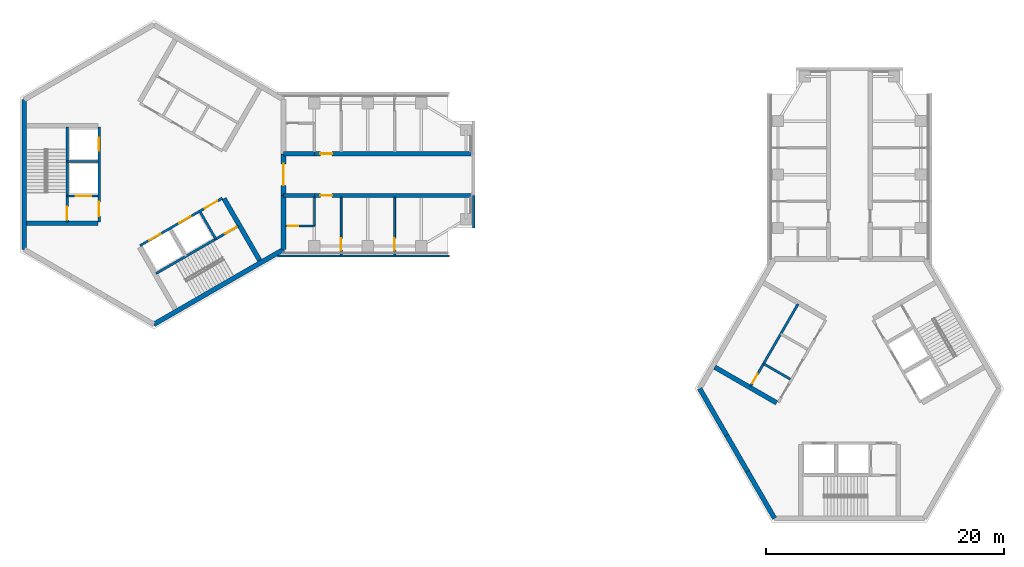
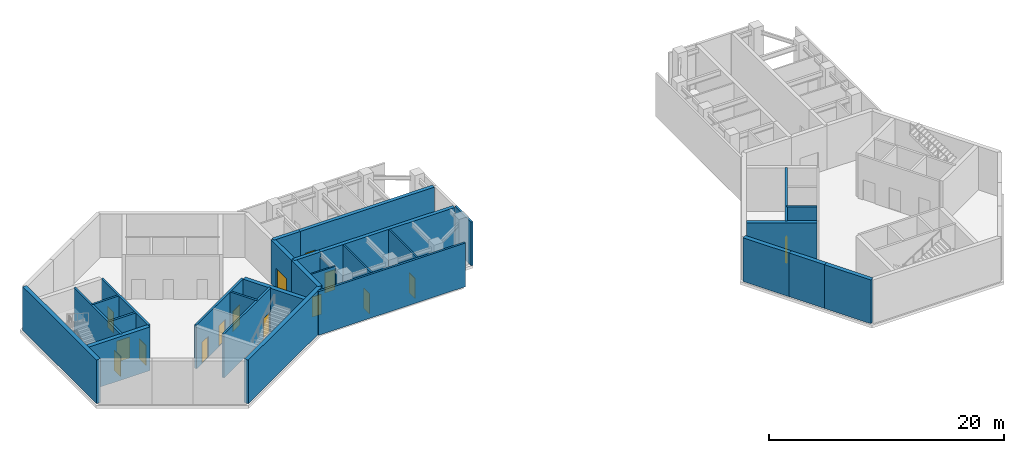
# One storey, part 2 of 8: 29 walls, 15 doors, 15 openings.
"""IFC4 building model written with IfcOpenShell, lengths in metres."""

from ifc_helpers import new_model, si_unit, direction, frame, frame_2d, origin, place, context, subcontext, project, spatial, rectangle, extrude, material, layer, layer_set, type_object, element, fill, save


model = new_model("IFC4")

# Units and contexts
model_context = context("Model", 3, precision=1e-05, world=origin(), true_north=direction((0.0, 1.0)))
body_context = subcontext(model_context, "Body", "Model", "MODEL_VIEW")
ifc_project = project(units=[si_unit("LENGTHUNIT", "METRE"), si_unit("AREAUNIT", "SQUARE_METRE"), si_unit("VOLUMEUNIT", "CUBIC_METRE"), si_unit("PLANEANGLEUNIT", "RADIAN"), si_unit("MASSUNIT", "GRAM", prefix="KILO")], contexts=[model_context])

# Site, building, storey
site_placement = place(None, origin())
site = spatial("IfcSite", under=ifc_project, at=site_placement, CompositionType="ELEMENT")
building_placement = place(site_placement, origin())
building = spatial("IfcBuilding", under=site, at=building_placement, Name="Upepo Twin Towers", CompositionType="ELEMENT")
storey_placement = place(building_placement, frame((0.0, 0.0, 291.5)))
storey = spatial("IfcBuildingStorey", under=building, at=storey_placement, Name="L71", CompositionType="ELEMENT", Elevation=291.5)

# Walls
ifc_material_1 = material(Name="Precast concrete breeze blocks", Category="concrete")
ifc_layer_1 = layer(ifc_material_1, 0.199951171875)
ifc_layer_set_1 = layer_set([ifc_layer_1], Name="Breeze-block screen wall 200")
wall_type_1 = type_object("IfcWallType", Name="Breeze-block screen wall 200", PredefinedType="USERDEFINED", material=ifc_layer_set_1)
wall_1_placement = place(storey_placement, frame((24.85009765625, -6.85009765625, 0.0), z_axis=(0.0, 0.0, 1.0), x_axis=(-1.0, 0.0, 0.0)))
element("IfcWall", 1, at=wall_1_placement, inside=storey, type_object=wall_type_1, Name="T1 L71 wing A screen R", ObjectType="SCREEN", PredefinedType="USERDEFINED", context=body_context, shape_type="SweptSolid", body=[
    extrude(rectangle(XDim=14.462890625, YDim=0.199951171875, at=frame_2d((7.2314453125, 0.0))), origin(), (0.0, 0.0, 1.0), 4.550048828125),
])
wall_2_placement = place(storey_placement, frame((26.89990234375, -4.5, 0.0), z_axis=(0.0, 0.0, 1.0), x_axis=(0.0, 1.0, 0.0)))
element("IfcWall", 2, at=wall_2_placement, inside=storey, type_object=wall_type_1, Name="T1 L71 wing A nose screen 0", ObjectType="SCREEN", PredefinedType="USERDEFINED", context=body_context, shape_type="SweptSolid", body=[
    extrude(rectangle(XDim=2.75, YDim=0.199951171875, at=frame_2d((1.375, 0.0))), origin(), (0.0, 0.0, 1.0), 4.550048828125),
])
ifc_material_2 = material(Name="Concrete C60/75", Category="concrete")
ifc_layer_2 = layer(ifc_material_2, 0.35009765625)
ifc_layer_set_2 = layer_set([ifc_layer_2], Name="Concrete C60/75")
wall_type_2 = type_object("IfcWallType", Name="Buttress wall 350 RC", PredefinedType="SHEAR", material=ifc_layer_set_2)
wall_3_placement = place(storey_placement, frame((10.908447265625, 1.75, 0.0), z_axis=(0.0, 0.0, 1.0), x_axis=(1.0, 0.0, 0.0)))
element("IfcWall", 3, at=wall_3_placement, inside=storey, type_object=wall_type_2, Name="T1 wing A buttress wall L", PredefinedType="SHEAR", context=body_context, shape_type="SweptSolid", body=[
    extrude(rectangle(XDim=2.591552734375, YDim=0.35009765625, at=frame_2d((1.2958984375, 0.0))), origin(), (0.0, 0.0, 1.0), 4.550048828125),
])

# Wall, opening, door
wall_4_placement = place(storey_placement, frame((13.5, 1.75, 0.0), z_axis=(0.0, 0.0, 1.0), x_axis=(1.0, 0.0, 0.0)))
wall_4 = element("IfcWall", 4, at=wall_4_placement, inside=storey, type_object=wall_type_2, Name="T1 wing A buttress wall L part 2", PredefinedType="SHEAR", context=body_context, shape_type="SweptSolid", body=[
    extrude(rectangle(XDim=13.199951171875, YDim=0.35009765625, at=frame_2d((6.60009765625, 0.0))), origin(), (0.0, 0.0, 1.0), 4.550048828125),
])
opening_1_placement = place(wall_4_placement, frame((0.5, 0.0, 0.0)))
opening_1 = element("IfcOpeningElement", 5, at=opening_1_placement, cuts=wall_4, Name="Opening D1", PredefinedType="OPENING", context=body_context, shape_type="SweptSolid", body=[
    extrude(rectangle(XDim=1.0, YDim=2.10009765625, at=frame_2d((0.5, 1.050048828125))), frame((0.0, 0.18505859375, 0.0), z_axis=(0.0, -1.0, 0.0), x_axis=(1.0, 0.0, 0.0)), (0.0, 0.0, 1.0), 0.3701171875),
])
ifc_material_3 = material(Name="Timber doorset", Category="wood")
door_type_1 = type_object("IfcDoorType", Name="Room door 1000 FD30", OperationType="SINGLE_SWING_LEFT", PredefinedType="DOOR", material=ifc_material_3)
door_1_placement = place(opening_1_placement, origin())
door_1 = element("IfcDoor", 6, at=door_1_placement, inside=storey, type_object=door_type_1, Name="T1 L71 chiller plant room door", OperationType="SINGLE_SWING_LEFT", OverallHeight=2.10009765625, OverallWidth=1.0, PredefinedType="DOOR", context=body_context, shape_type="SweptSolid", body=[
    extrude(rectangle(XDim=1.0, YDim=2.10009765625, at=frame_2d((0.5, 1.050048828125))), frame((0.0, 0.02490234375, 0.0), z_axis=(0.0, -1.0, 0.0), x_axis=(1.0, 0.0, 0.0)), (0.0, 0.0, 1.0), 0.050048828125),
])
fill(opening_1, door_1)

# Wall
wall_5_placement = place(storey_placement, frame((10.908447265625, -1.75, 0.0), z_axis=(0.0, 0.0, 1.0), x_axis=(1.0, 0.0, 0.0)))
element("IfcWall", 7, at=wall_5_placement, inside=storey, type_object=wall_type_2, Name="T1 wing A buttress wall R", PredefinedType="SHEAR", context=body_context, shape_type="SweptSolid", body=[
    extrude(rectangle(XDim=2.591552734375, YDim=0.35009765625, at=frame_2d((1.2958984375, 0.0))), origin(), (0.0, 0.0, 1.0), 4.550048828125),
])

# Wall, opening, door
wall_6_placement = place(storey_placement, frame((13.5, -1.75, 0.0), z_axis=(0.0, 0.0, 1.0), x_axis=(1.0, 0.0, 0.0)))
wall_6 = element("IfcWall", 8, at=wall_6_placement, inside=storey, type_object=wall_type_2, Name="T1 wing A buttress wall R part 2", PredefinedType="SHEAR", context=body_context, shape_type="SweptSolid", body=[
    extrude(rectangle(XDim=13.199951171875, YDim=0.35009765625, at=frame_2d((6.60009765625, 0.0))), origin(), (0.0, 0.0, 1.0), 4.550048828125),
])
opening_2_placement = place(wall_6_placement, frame((0.5, 0.0, 0.0)))
opening_2 = element("IfcOpeningElement", 9, at=opening_2_placement, cuts=wall_6, Name="Opening D1", PredefinedType="OPENING", context=body_context, shape_type="SweptSolid", body=[
    extrude(rectangle(XDim=1.0, YDim=2.10009765625, at=frame_2d((0.5, 1.050048828125))), frame((0.0, 0.18505859375, 0.0), z_axis=(0.0, -1.0, 0.0), x_axis=(1.0, 0.0, 0.0)), (0.0, 0.0, 1.0), 0.3701171875),
])
door_2_placement = place(opening_2_placement, origin())
door_2 = element("IfcDoor", 10, at=door_2_placement, inside=storey, type_object=door_type_1, Name="T1 L71 electrical switch room door", OperationType="SINGLE_SWING_LEFT", OverallHeight=2.10009765625, OverallWidth=1.0, PredefinedType="DOOR", context=body_context, shape_type="SweptSolid", body=[
    extrude(rectangle(XDim=1.0, YDim=2.10009765625, at=frame_2d((0.5, 1.050048828125))), frame((0.0, 0.02490234375, 0.0), z_axis=(0.0, -1.0, 0.0), x_axis=(1.0, 0.0, 0.0)), (0.0, 0.0, 1.0), 0.050048828125),
])
fill(opening_2, door_2)

# Wall
ifc_material_4 = material(Name="Concrete C60/75", Category="concrete")
ifc_layer_3 = layer(ifc_material_4, 0.39990234375)
ifc_layer_set_3 = layer_set([ifc_layer_3], Name="Concrete C60/75")
wall_type_3 = type_object("IfcWallType", Name="Core wall 400 RC", PredefinedType="SHEAR", material=ifc_layer_set_3)
wall_7_placement = place(storey_placement, frame((10.908447265625, -6.2978515625, 0.0), z_axis=(0.0, 0.0, 1.0), x_axis=(0.0, 1.0, 0.0)))
element("IfcWall", 11, at=wall_7_placement, inside=storey, type_object=wall_type_3, Name="T1 core wall 000 R", PredefinedType="SHEAR", context=body_context, shape_type="SweptSolid", body=[
    extrude(rectangle(XDim=4.5478515625, YDim=0.39990234375, at=frame_2d((2.27392578125, 0.0))), origin(), (0.0, 0.0, 1.0), 4.550048828125),
])

# Wall, opening, door
wall_8_placement = place(storey_placement, frame((10.908447265625, -1.75, 0.0), z_axis=(0.0, 0.0, 1.0), x_axis=(0.0, 1.0, 0.0)))
wall_8 = element("IfcWall", 12, at=wall_8_placement, inside=storey, type_object=wall_type_3, Name="T1 core wall 000", PredefinedType="SHEAR", context=body_context, shape_type="SweptSolid", body=[
    extrude(rectangle(XDim=3.5, YDim=0.39990234375, at=frame_2d((1.75, 0.0))), origin(), (0.0, 0.0, 1.0), 4.550048828125),
])
opening_3_placement = place(wall_8_placement, frame((0.85009765625, 0.0, 0.0)))
opening_3 = element("IfcOpeningElement", 13, at=opening_3_placement, cuts=wall_8, Name="Opening D2", PredefinedType="OPENING", context=body_context, shape_type="SweptSolid", body=[
    extrude(rectangle(XDim=1.800048828125, YDim=2.10009765625, at=frame_2d((0.89990234375, 1.050048828125))), frame((0.0, 0.2099609375, 0.0), z_axis=(0.0, -1.0, 0.0), x_axis=(1.0, 0.0, 0.0)), (0.0, 0.0, 1.0), 0.419921875),
])
ifc_material_5 = material(Name="Timber doorset", Category="wood")
door_type_2 = type_object("IfcDoorType", Name="Corridor double door 1800 FD60", OperationType="DOUBLE_DOOR_DOUBLE_SWING", PredefinedType="DOOR", material=ifc_material_5)
door_3_placement = place(opening_3_placement, origin())
door_3 = element("IfcDoor", 14, at=door_3_placement, inside=storey, type_object=door_type_2, Name="T1 L71 wing A corridor door", OperationType="DOUBLE_DOOR_DOUBLE_SWING", OverallHeight=2.10009765625, OverallWidth=1.800048828125, PredefinedType="DOOR", context=body_context, shape_type="SweptSolid", body=[
    extrude(rectangle(XDim=1.800048828125, YDim=2.10009765625, at=frame_2d((0.89990234375, 1.050048828125))), frame((0.0, 0.02490234375, 0.0), z_axis=(0.0, -1.0, 0.0), x_axis=(1.0, 0.0, 0.0)), (0.0, 0.0, 1.0), 0.050048828125),
])
fill(opening_3, door_3)

# Walls
wall_9_placement = place(storey_placement, frame((-10.908447265625, 6.2978515625, 0.0), z_axis=(0.0, 0.0, 1.0), x_axis=(0.0, -1.0, 0.0)))
element("IfcWall", 15, at=wall_9_placement, inside=storey, type_object=wall_type_3, Name="T1 core wall 180", PredefinedType="SHEAR", context=body_context, shape_type="SweptSolid", body=[
    extrude(rectangle(XDim=12.595703125, YDim=0.39990234375, at=frame_2d((6.2978515625, 0.0))), origin(), (0.0, 0.0, 1.0), 4.550048828125),
])
wall_10_placement = place(storey_placement, frame((0.0, -12.595947265625, 0.0), z_axis=(0.0, 0.0, 1.0), x_axis=(0.866021940709, 0.500005998175, 0.0)))
element("IfcWall", 16, at=wall_10_placement, inside=storey, type_object=wall_type_3, Name="T1 core wall 300", PredefinedType="SHEAR", context=body_context, shape_type="SweptSolid", body=[
    extrude(rectangle(XDim=12.595947265625, YDim=0.39990234375, at=frame_2d((6.2978515625, 0.0))), origin(), (0.0, 0.0, 1.0), 4.550048828125),
])
wall_11_placement = place(storey_placement, frame((45.904052734375, -18.0, 0.0), z_axis=(0.0, 0.0, 1.0), x_axis=(0.500024481964, -0.866011268655, 0.0)))
element("IfcWall", 17, at=wall_11_placement, inside=storey, type_object=wall_type_3, Name="T2 core wall 120 R", PredefinedType="SHEAR", context=body_context, shape_type="SweptSolid", body=[
    extrude(rectangle(XDim=4.548095703125, YDim=0.39990234375, at=frame_2d((2.27392578125, 0.0))), origin(), (0.0, 0.0, 1.0), 4.550048828125),
])
wall_12_placement = place(storey_placement, frame((48.17822265625, -21.938720703125, 0.0), z_axis=(0.0, 0.0, 1.0), x_axis=(0.500010275428, -0.866019471182, 0.0)))
element("IfcWall", 18, at=wall_12_placement, inside=storey, type_object=wall_type_3, Name="T2 core wall 120", PredefinedType="SHEAR", context=body_context, shape_type="SweptSolid", body=[
    extrude(rectangle(XDim=3.5, YDim=0.39990234375, at=frame_2d((1.75, 0.0))), origin(), (0.0, 0.0, 1.0), 4.550048828125),
])
wall_13_placement = place(storey_placement, frame((49.92822265625, -24.9697265625, 0.0), z_axis=(0.0, 0.0, 1.0), x_axis=(0.499984222037, -0.866034513004, 0.0)))
element("IfcWall", 19, at=wall_13_placement, inside=storey, type_object=wall_type_3, Name="T2 core wall 120 L", PredefinedType="SHEAR", context=body_context, shape_type="SweptSolid", body=[
    extrude(rectangle(XDim=4.548095703125, YDim=0.39990234375, at=frame_2d((2.27392578125, 0.0))), origin(), (0.0, 0.0, 1.0), 4.550048828125),
])

# Wall, openings, doors
ifc_material_6 = material(Name="Concrete C40/50", Category="concrete")
ifc_layer_4 = layer(ifc_material_6, 0.199951171875)
ifc_layer_set_4 = layer_set([ifc_layer_4], Name="Concrete C40/50")
wall_type_4 = type_object("IfcWallType", Name="Shaft wall 200 RC", PredefinedType="SHEAR", material=ifc_layer_set_4)
wall_14_placement = place(storey_placement, frame((-4.60009765625, 4.0, 0.0), z_axis=(0.0, 0.0, 1.0), x_axis=(0.0, -1.0, 0.0)))
wall_14 = element("IfcWall", 20, at=wall_14_placement, inside=storey, type_object=wall_type_4, Name="T1 core W180 front wall", PredefinedType="SHEAR", context=body_context, shape_type="SweptSolid", body=[
    extrude(rectangle(XDim=8.0, YDim=0.199951171875, at=frame_2d((4.0, 0.0))), origin(), (0.0, 0.0, 1.0), 4.550048828125),
])
opening_4_placement = place(wall_14_placement, frame((6.300048828125, 0.0, 0.0)))
opening_4 = element("IfcOpeningElement", 21, at=opening_4_placement, cuts=wall_14, Name="Opening D4", PredefinedType="OPENING", context=body_context, shape_type="SweptSolid", body=[
    extrude(rectangle(XDim=1.199951171875, YDim=2.10009765625, at=frame_2d((0.60009765625, 1.050048828125))), frame((0.0, 0.10986328125, 0.0), z_axis=(0.0, -1.0, 0.0), x_axis=(1.0, 0.0, 0.0)), (0.0, 0.0, 1.0), 0.219970703125),
])
opening_5_placement = place(wall_14_placement, frame((0.89990234375, 0.0, 0.0)))
opening_5 = element("IfcOpeningElement", 22, at=opening_5_placement, cuts=wall_14, Name="Opening LD1", PredefinedType="OPENING", context=body_context, shape_type="SweptSolid", body=[
    extrude(rectangle(XDim=1.10009765625, YDim=2.199951171875, at=frame_2d((0.550048828125, 1.10009765625))), frame((0.0, 0.10986328125, 0.0), z_axis=(0.0, -1.0, 0.0), x_axis=(1.0, 0.0, 0.0)), (0.0, 0.0, 1.0), 0.219970703125),
])
ifc_material_7 = material(Name="Steel doorset", Category="steel")
door_type_3 = type_object("IfcDoorType", Name="Lift landing door 1100", OperationType="DOUBLE_DOOR_SLIDING", PredefinedType="DOOR", material=ifc_material_7)
door_4_placement = place(opening_5_placement, origin())
door_4 = element("IfcDoor", 23, at=door_4_placement, inside=storey, type_object=door_type_3, Name="T1 L71 lift SV1 landing door", OperationType="DOUBLE_DOOR_SLIDING", OverallHeight=2.199951171875, OverallWidth=1.10009765625, PredefinedType="DOOR", context=body_context, shape_type="SweptSolid", body=[
    extrude(rectangle(XDim=1.10009765625, YDim=2.199951171875, at=frame_2d((0.550048828125, 1.10009765625))), frame((0.0, 0.02490234375, 0.0), z_axis=(0.0, -1.0, 0.0), x_axis=(1.0, 0.0, 0.0)), (0.0, 0.0, 1.0), 0.050048828125),
])
fill(opening_5, door_4)
ifc_material_8 = material(Name="Timber doorset", Category="wood")
door_type_4 = type_object("IfcDoorType", Name="Lobby door 1200 FD60", OperationType="SINGLE_SWING_LEFT", PredefinedType="DOOR", material=ifc_material_8)
door_5_placement = place(opening_4_placement, origin())
door_5 = element("IfcDoor", 24, at=door_5_placement, inside=storey, type_object=door_type_4, Name="T1 L71 W180 lobby door", OperationType="SINGLE_SWING_RIGHT", OverallHeight=2.10009765625, OverallWidth=1.199951171875, PredefinedType="DOOR", context=body_context, shape_type="SweptSolid", body=[
    extrude(rectangle(XDim=1.199951171875, YDim=2.10009765625, at=frame_2d((0.60009765625, 1.050048828125))), frame((0.0, 0.02490234375, 0.0), z_axis=(0.0, -1.0, 0.0), x_axis=(1.0, 0.0, 0.0)), (0.0, 0.0, 1.0), 0.050048828125),
])
fill(opening_4, door_5)

# Wall
wall_15_placement = place(storey_placement, frame((-4.699951171875, 1.10009765625, 0.0), z_axis=(0.0, 0.0, 1.0), x_axis=(-1.0, 0.0, 0.0)))
element("IfcWall", 25, at=wall_15_placement, inside=storey, type_object=wall_type_4, Name="T1 core W180 shaft divider", PredefinedType="SHEAR", context=body_context, shape_type="SweptSolid", body=[
    extrude(rectangle(XDim=2.60009765625, YDim=0.199951171875, at=frame_2d((1.300048828125, 0.0))), origin(), (0.0, 0.0, 1.0), 4.550048828125),
])

# Wall, opening, door
wall_16_placement = place(storey_placement, frame((-4.699951171875, -1.800048828125, 0.0), z_axis=(0.0, 0.0, 1.0), x_axis=(-1.0, 0.0, 0.0)))
wall_16 = element("IfcWall", 26, at=wall_16_placement, inside=storey, type_object=wall_type_4, Name="T1 core W180 lobby wall", PredefinedType="SHEAR", context=body_context, shape_type="SweptSolid", body=[
    extrude(rectangle(XDim=2.60009765625, YDim=0.199951171875, at=frame_2d((1.300048828125, 0.0))), origin(), (0.0, 0.0, 1.0), 4.550048828125),
])
opening_6_placement = place(wall_16_placement, frame((0.550048828125, 0.0, 0.0)))
opening_6 = element("IfcOpeningElement", 27, at=opening_6_placement, cuts=wall_16, Name="Opening LD2", PredefinedType="OPENING", context=body_context, shape_type="SweptSolid", body=[
    extrude(rectangle(XDim=1.300048828125, YDim=2.199951171875, at=frame_2d((0.64990234375, 1.10009765625))), frame((0.0, 0.10986328125, 0.0), z_axis=(0.0, -1.0, 0.0), x_axis=(1.0, 0.0, 0.0)), (0.0, 0.0, 1.0), 0.219970703125),
])
ifc_material_9 = material(Name="Steel doorset", Category="steel")
door_type_5 = type_object("IfcDoorType", Name="Firefighting lift landing door 1300", OperationType="DOUBLE_DOOR_SLIDING", PredefinedType="DOOR", material=ifc_material_9)
door_6_placement = place(opening_6_placement, origin())
door_6 = element("IfcDoor", 28, at=door_6_placement, inside=storey, type_object=door_type_5, Name="T1 L71 firefighting lift landing door", OperationType="DOUBLE_DOOR_SLIDING", OverallHeight=2.199951171875, OverallWidth=1.300048828125, PredefinedType="DOOR", context=body_context, shape_type="SweptSolid", body=[
    extrude(rectangle(XDim=1.300048828125, YDim=2.199951171875, at=frame_2d((0.64990234375, 1.10009765625))), frame((0.0, 0.02490234375, 0.0), z_axis=(0.0, -1.0, 0.0), x_axis=(1.0, 0.0, 0.0)), (0.0, 0.0, 1.0), 0.050048828125),
])
fill(opening_6, door_6)

wall_17_placement = place(storey_placement, frame((-7.300048828125, 4.0, 0.0), z_axis=(0.0, 0.0, 1.0), x_axis=(0.0, -1.0, 0.0)))
wall_17 = element("IfcWall", 29, at=wall_17_placement, inside=storey, type_object=wall_type_4, Name="T1 core W180 stair wall", PredefinedType="SHEAR", context=body_context, shape_type="SweptSolid", body=[
    extrude(rectangle(XDim=8.0, YDim=0.199951171875, at=frame_2d((4.0, 0.0))), origin(), (0.0, 0.0, 1.0), 4.550048828125),
])
opening_7_placement = place(wall_17_placement, frame((6.699951171875, 0.0, 0.0)))
opening_7 = element("IfcOpeningElement", 30, at=opening_7_placement, cuts=wall_17, Name="Opening D3", PredefinedType="OPENING", context=body_context, shape_type="SweptSolid", body=[
    extrude(rectangle(XDim=1.10009765625, YDim=2.10009765625, at=frame_2d((0.550048828125, 1.050048828125))), frame((0.0, 0.10986328125, 0.0), z_axis=(0.0, -1.0, 0.0), x_axis=(1.0, 0.0, 0.0)), (0.0, 0.0, 1.0), 0.219970703125),
])
ifc_material_10 = material(Name="Timber doorset", Category="wood")
door_type_6 = type_object("IfcDoorType", Name="Stair door 1100 FD60", OperationType="SINGLE_SWING_LEFT", PredefinedType="DOOR", material=ifc_material_10)
door_7_placement = place(opening_7_placement, origin())
door_7 = element("IfcDoor", 31, at=door_7_placement, inside=storey, type_object=door_type_6, Name="T1 L71 stair door", OperationType="SINGLE_SWING_RIGHT", OverallHeight=2.10009765625, OverallWidth=1.10009765625, PredefinedType="DOOR", context=body_context, shape_type="SweptSolid", body=[
    extrude(rectangle(XDim=1.10009765625, YDim=2.10009765625, at=frame_2d((0.550048828125, 1.050048828125))), frame((0.0, 0.02490234375, 0.0), z_axis=(0.0, -1.0, 0.0), x_axis=(1.0, 0.0, 0.0)), (0.0, 0.0, 1.0), 0.050048828125),
])
fill(opening_7, door_7)

# Wall, openings, doors
wall_18_placement = place(storey_placement, frame((-1.1640625, -5.983642578125, 0.0), z_axis=(0.0, 0.0, 1.0), x_axis=(0.866026010844, 0.49999894854, 0.0)))
wall_18 = element("IfcWall", 32, at=wall_18_placement, inside=storey, type_object=wall_type_4, Name="T1 core W300 front wall", PredefinedType="SHEAR", context=body_context, shape_type="SweptSolid", body=[
    extrude(rectangle(XDim=8.0, YDim=0.199951171875, at=frame_2d((4.0, 0.0))), origin(), (0.0, 0.0, 1.0), 4.550048828125),
])
opening_8_placement = place(wall_18_placement, frame((6.300048828125, 0.0, 0.0)))
opening_8 = element("IfcOpeningElement", 33, at=opening_8_placement, cuts=wall_18, Name="Opening D4", PredefinedType="OPENING", context=body_context, shape_type="SweptSolid", body=[
    extrude(rectangle(XDim=1.199951171875, YDim=2.10009765625, at=frame_2d((0.60009765625, 1.050048828125))), frame((0.0, 0.10986328125, 0.0), z_axis=(0.0, -1.0, 0.0), x_axis=(1.0, 0.0, 0.0)), (0.0, 0.0, 1.0), 0.219970703125),
])
opening_9_placement = place(wall_18_placement, frame((0.89990234375, 0.0, 0.0)))
opening_9 = element("IfcOpeningElement", 34, at=opening_9_placement, cuts=wall_18, Name="Opening LD1", PredefinedType="OPENING", context=body_context, shape_type="SweptSolid", body=[
    extrude(rectangle(XDim=1.10009765625, YDim=2.199951171875, at=frame_2d((0.550048828125, 1.10009765625))), frame((0.0, 0.10986328125, 0.0), z_axis=(0.0, -1.0, 0.0), x_axis=(1.0, 0.0, 0.0)), (0.0, 0.0, 1.0), 0.219970703125),
])
opening_10_placement = place(wall_18_placement, frame((3.800048828125, 0.0, 0.0)))
opening_10 = element("IfcOpeningElement", 35, at=opening_10_placement, cuts=wall_18, Name="Opening LD1", PredefinedType="OPENING", context=body_context, shape_type="SweptSolid", body=[
    extrude(rectangle(XDim=1.10009765625, YDim=2.199951171875, at=frame_2d((0.550048828125, 1.10009765625))), frame((0.0, 0.10986328125, 0.0), z_axis=(0.0, -1.0, 0.0), x_axis=(1.0, 0.0, 0.0)), (0.0, 0.0, 1.0), 0.219970703125),
])
door_8_placement = place(opening_9_placement, origin())
door_8 = element("IfcDoor", 36, at=door_8_placement, inside=storey, type_object=door_type_3, Name="T1 L71 lift TL1 landing door", OperationType="DOUBLE_DOOR_SLIDING", OverallHeight=2.199951171875, OverallWidth=1.10009765625, PredefinedType="DOOR", context=body_context, shape_type="SweptSolid", body=[
    extrude(rectangle(XDim=1.10009765625, YDim=2.199951171875, at=frame_2d((0.550048828125, 1.10009765625))), frame((0.0, 0.02490234375, 0.0), z_axis=(0.0, -1.0, 0.0), x_axis=(1.0, 0.0, 0.0)), (0.0, 0.0, 1.0), 0.050048828125),
])
fill(opening_9, door_8)
door_9_placement = place(opening_10_placement, origin())
door_9 = element("IfcDoor", 37, at=door_9_placement, inside=storey, type_object=door_type_3, Name="T1 L71 lift TL2 landing door", OperationType="DOUBLE_DOOR_SLIDING", OverallHeight=2.199951171875, OverallWidth=1.10009765625, PredefinedType="DOOR", context=body_context, shape_type="SweptSolid", body=[
    extrude(rectangle(XDim=1.10009765625, YDim=2.199951171875, at=frame_2d((0.550048828125, 1.10009765625))), frame((0.0, 0.02490234375, 0.0), z_axis=(0.0, -1.0, 0.0), x_axis=(1.0, 0.0, 0.0)), (0.0, 0.0, 1.0), 0.050048828125),
])
fill(opening_10, door_9)
door_10_placement = place(opening_8_placement, origin())
door_10 = element("IfcDoor", 38, at=door_10_placement, inside=storey, type_object=door_type_4, Name="T1 L71 W300 lobby door", OperationType="SINGLE_SWING_RIGHT", OverallHeight=2.10009765625, OverallWidth=1.199951171875, PredefinedType="DOOR", context=body_context, shape_type="SweptSolid", body=[
    extrude(rectangle(XDim=1.199951171875, YDim=2.10009765625, at=frame_2d((0.60009765625, 1.050048828125))), frame((0.0, 0.02490234375, 0.0), z_axis=(0.0, -1.0, 0.0), x_axis=(1.0, 0.0, 0.0)), (0.0, 0.0, 1.0), 0.050048828125),
])
fill(opening_8, door_10)

# Wall
wall_19_placement = place(storey_placement, frame((3.908935546875, -3.17041015625, 0.0), z_axis=(0.0, 0.0, 1.0), x_axis=(0.49997716683, -0.86603858612, 0.0)))
element("IfcWall", 39, at=wall_19_placement, inside=storey, type_object=wall_type_4, Name="T1 core W300 lobby wall", PredefinedType="SHEAR", context=body_context, shape_type="SweptSolid", body=[
    extrude(rectangle(XDim=2.599609375, YDim=0.199951171875, at=frame_2d((1.2998046875, 0.0))), origin(), (0.0, 0.0, 1.0), 4.550048828125),
])

# Wall, opening, door
wall_20_placement = place(storey_placement, frame((0.185791015625, -8.322021484375, 0.0), z_axis=(0.0, 0.0, 1.0), x_axis=(0.866026010844, 0.49999894854, 0.0)))
wall_20 = element("IfcWall", 40, at=wall_20_placement, inside=storey, type_object=wall_type_4, Name="T1 core W300 stair wall", PredefinedType="SHEAR", context=body_context, shape_type="SweptSolid", body=[
    extrude(rectangle(XDim=8.0, YDim=0.199951171875, at=frame_2d((4.0, 0.0))), origin(), (0.0, 0.0, 1.0), 4.550048828125),
])
opening_11_placement = place(wall_20_placement, frame((6.699951171875, 0.0, 0.0)))
opening_11 = element("IfcOpeningElement", 41, at=opening_11_placement, cuts=wall_20, Name="Opening D3", PredefinedType="OPENING", context=body_context, shape_type="SweptSolid", body=[
    extrude(rectangle(XDim=1.10009765625, YDim=2.10009765625, at=frame_2d((0.550048828125, 1.050048828125))), frame((0.0, 0.10986328125, 0.0), z_axis=(0.0, -1.0, 0.0), x_axis=(1.0, 0.0, 0.0)), (0.0, 0.0, 1.0), 0.219970703125),
])
door_11_placement = place(opening_11_placement, origin())
door_11 = element("IfcDoor", 42, at=door_11_placement, inside=storey, type_object=door_type_6, Name="T1 L71 stair door", OperationType="SINGLE_SWING_RIGHT", OverallHeight=2.10009765625, OverallWidth=1.10009765625, PredefinedType="DOOR", context=body_context, shape_type="SweptSolid", body=[
    extrude(rectangle(XDim=1.10009765625, YDim=2.10009765625, at=frame_2d((0.550048828125, 1.050048828125))), frame((0.0, 0.02490234375, 0.0), z_axis=(0.0, -1.0, 0.0), x_axis=(1.0, 0.0, 0.0)), (0.0, 0.0, 1.0), 0.050048828125),
])
fill(opening_11, door_11)

# Wall
wall_21_placement = place(storey_placement, frame((53.52978515625, -17.208740234375, 0.0), z_axis=(0.0, 0.0, 1.0), x_axis=(-0.866062058628, 0.499936506574, 0.0)))
element("IfcWall", 43, at=wall_21_placement, inside=storey, type_object=wall_type_4, Name="T2 core W60 lobby wall", PredefinedType="SHEAR", context=body_context, shape_type="SweptSolid", body=[
    extrude(rectangle(XDim=2.599853515625, YDim=0.199951171875, at=frame_2d((1.2998046875, 0.0))), origin(), (0.0, 0.0, 1.0), 4.550048828125),
])

# Wall, opening, door
wall_22_placement = place(storey_placement, frame((54.177978515625, -10.885986328125, 0.0), z_axis=(0.0, 0.0, 1.0), x_axis=(-0.49999894854, -0.866026010844, 0.0)))
wall_22 = element("IfcWall", 44, at=wall_22_placement, inside=storey, type_object=wall_type_4, Name="T2 core W60 stair wall", PredefinedType="SHEAR", context=body_context, shape_type="SweptSolid", body=[
    extrude(rectangle(XDim=8.0, YDim=0.199951171875, at=frame_2d((4.0, 0.0))), origin(), (0.0, 0.0, 1.0), 4.550048828125),
])
opening_12_placement = place(wall_22_placement, frame((6.800048828125, 0.0, 0.0)))
opening_12 = element("IfcOpeningElement", 45, at=opening_12_placement, cuts=wall_22, Name="Opening D9", PredefinedType="OPENING", context=body_context, shape_type="SweptSolid", body=[
    extrude(rectangle(XDim=0.89990234375, YDim=2.10009765625, at=frame_2d((0.449951171875, 1.050048828125))), frame((0.0, 0.10986328125, 0.0), z_axis=(0.0, -1.0, 0.0), x_axis=(1.0, 0.0, 0.0)), (0.0, 0.0, 1.0), 0.219970703125),
])
ifc_material_11 = material(Name="Timber doorset", Category="wood")
door_type_7 = type_object("IfcDoorType", Name="Riser door 900 FD60", OperationType="SINGLE_SWING_LEFT", PredefinedType="DOOR", material=ifc_material_11)
door_12_placement = place(opening_12_placement, origin())
door_12 = element("IfcDoor", 46, at=door_12_placement, inside=storey, type_object=door_type_7, Name="T2 L71 riser door", OperationType="SINGLE_SWING_RIGHT", OverallHeight=2.10009765625, OverallWidth=0.89990234375, PredefinedType="DOOR", context=body_context, shape_type="SweptSolid", body=[
    extrude(rectangle(XDim=0.89990234375, YDim=2.10009765625, at=frame_2d((0.449951171875, 1.050048828125))), frame((0.0, 0.02490234375, 0.0), z_axis=(0.0, -1.0, 0.0), x_axis=(1.0, 0.0, 0.0)), (0.0, 0.0, 1.0), 0.050048828125),
])
fill(opening_12, door_12)

# Walls
ifc_material_12 = material(Name="Concrete C40/50", Category="concrete")
ifc_layer_5 = layer(ifc_material_12, 0.39990234375)
ifc_layer_set_5 = layer_set([ifc_layer_5], Name="Concrete C40/50")
wall_type_5 = type_object("IfcWallType", Name="Shaft wall 400 RC", PredefinedType="SHEAR", material=ifc_layer_set_5)
for number, where, z_axis, x_axis, name in (
    (47, (-4.699951171875, -4.10009765625, 0.0), (0.0, 0.0, 1.0), (-1.0, 0.0, 0.0), "T1 core W180 side wall N"),
    (48, (5.900634765625, -2.020263671875, 0.0), (0.0, 0.0, 1.0), (0.499997979876, -0.866026570101, 0.0), "T1 core W300 side wall N"),
    (49, (52.379638671875, -19.20068359375, 0.0), (0.0, 0.0, 1.0), (-0.866026570101, 0.499997979876, 0.0), "T2 core W60 side wall N"),
):
    element("IfcWall", number, at=place(storey_placement, frame(where, z_axis=z_axis, x_axis=x_axis)), inside=storey, type_object=wall_type_5, Name=name, PredefinedType="SHEAR", context=body_context, shape_type="SweptSolid", body=[
        extrude(rectangle(XDim=6.00830078125, YDim=0.39990234375, at=frame_2d((3.004150390625, 0.0))), origin(), (0.0, 0.0, 1.0), 4.550048828125),
    ])

# Wall, opening, door
ifc_material_13 = material(Name="Gypsum board on steel studs", Category="steel")
ifc_layer_6 = layer(ifc_material_13, 0.14990234375)
ifc_layer_set_6 = layer_set([ifc_layer_6], Name="Teaching partition 150 acoustic")
wall_type_6 = type_object("IfcWallType", Name="Teaching partition 150 acoustic", PredefinedType="PARTITIONING", material=ifc_layer_set_6)
wall_23_placement = place(storey_placement, frame((15.75, -1.925048828125, 0.0), z_axis=(0.0, 0.0, 1.0), x_axis=(0.0, -1.0, 0.0)))
wall_23 = element("IfcWall", 50, at=wall_23_placement, inside=storey, type_object=wall_type_6, Name="T1 partition AR at 15.75", PredefinedType="PARTITIONING", context=body_context, shape_type="SweptSolid", body=[
    extrude(rectangle(XDim=4.824951171875, YDim=0.14990234375, at=frame_2d((2.41259765625, 0.0))), origin(), (0.0, 0.0, 1.0), 4.550048828125),
])
opening_13_placement = place(wall_23_placement, frame((3.425048828125, 0.0, 0.0)))
opening_13 = element("IfcOpeningElement", 51, at=opening_13_placement, cuts=wall_23, Name="Opening D1", PredefinedType="OPENING", context=body_context, shape_type="SweptSolid", body=[
    extrude(rectangle(XDim=1.0, YDim=2.10009765625, at=frame_2d((0.5, 1.050048828125))), frame((0.0, 0.0849609375, 0.0), z_axis=(0.0, -1.0, 0.0), x_axis=(1.0, 0.0, 0.0)), (0.0, 0.0, 1.0), 0.169921875),
])
door_13_placement = place(opening_13_placement, origin())
door_13 = element("IfcDoor", 52, at=door_13_placement, inside=storey, type_object=door_type_1, Name="T1 L71 connecting door", OperationType="SINGLE_SWING_RIGHT", OverallHeight=2.10009765625, OverallWidth=1.0, PredefinedType="DOOR", context=body_context, shape_type="SweptSolid", body=[
    extrude(rectangle(XDim=1.0, YDim=2.10009765625, at=frame_2d((0.5, 1.050048828125))), frame((0.0, 0.02490234375, 0.0), z_axis=(0.0, -1.0, 0.0), x_axis=(1.0, 0.0, 0.0)), (0.0, 0.0, 1.0), 0.050048828125),
])
fill(opening_13, door_13)

wall_24_placement = place(storey_placement, frame((20.25, -1.925048828125, 0.0), z_axis=(0.0, 0.0, 1.0), x_axis=(0.0, -1.0, 0.0)))
wall_24 = element("IfcWall", 53, at=wall_24_placement, inside=storey, type_object=wall_type_6, Name="T1 partition AR at 20.25", PredefinedType="PARTITIONING", context=body_context, shape_type="SweptSolid", body=[
    extrude(rectangle(XDim=4.824951171875, YDim=0.14990234375, at=frame_2d((2.41259765625, 0.0))), origin(), (0.0, 0.0, 1.0), 4.550048828125),
])
opening_14_placement = place(wall_24_placement, frame((3.425048828125, 0.0, 0.0)))
opening_14 = element("IfcOpeningElement", 54, at=opening_14_placement, cuts=wall_24, Name="Opening D1", PredefinedType="OPENING", context=body_context, shape_type="SweptSolid", body=[
    extrude(rectangle(XDim=1.0, YDim=2.10009765625, at=frame_2d((0.5, 1.050048828125))), frame((0.0, 0.0849609375, 0.0), z_axis=(0.0, -1.0, 0.0), x_axis=(1.0, 0.0, 0.0)), (0.0, 0.0, 1.0), 0.169921875),
])
door_14_placement = place(opening_14_placement, origin())
door_14 = element("IfcDoor", 55, at=door_14_placement, inside=storey, type_object=door_type_1, Name="T1 L71 connecting door", OperationType="SINGLE_SWING_RIGHT", OverallHeight=2.10009765625, OverallWidth=1.0, PredefinedType="DOOR", context=body_context, shape_type="SweptSolid", body=[
    extrude(rectangle(XDim=1.0, YDim=2.10009765625, at=frame_2d((0.5, 1.050048828125))), frame((0.0, 0.02490234375, 0.0), z_axis=(0.0, -1.0, 0.0), x_axis=(1.0, 0.0, 0.0)), (0.0, 0.0, 1.0), 0.050048828125),
])
fill(opening_14, door_14)

wall_25_placement = place(storey_placement, frame((11.10791015625, -4.324951171875, 0.0), z_axis=(0.0, 0.0, 1.0), x_axis=(1.0, 0.0, 0.0)))
wall_25 = element("IfcWall", 56, at=wall_25_placement, inside=storey, type_object=wall_type_6, Name="T1 WC bay partition AR at 11.11", PredefinedType="PARTITIONING", context=body_context, shape_type="SweptSolid", body=[
    extrude(rectangle(XDim=2.400146484375, YDim=0.14990234375, at=frame_2d((1.2001953125, 0.0))), origin(), (0.0, 0.0, 1.0), 4.550048828125),
])
opening_15_placement = place(wall_25_placement, frame((0.14990234375, 0.0, 0.0)))
opening_15 = element("IfcOpeningElement", 57, at=opening_15_placement, cuts=wall_25, Name="Opening D14", PredefinedType="OPENING", context=body_context, shape_type="SweptSolid", body=[
    extrude(rectangle(XDim=0.89990234375, YDim=2.10009765625, at=frame_2d((0.449951171875, 1.050048828125))), frame((0.0, 0.0849609375, 0.0), z_axis=(0.0, -1.0, 0.0), x_axis=(1.0, 0.0, 0.0)), (0.0, 0.0, 1.0), 0.169921875),
])
ifc_material_14 = material(Name="Timber doorset", Category="wood")
door_type_8 = type_object("IfcDoorType", Name="Office door 900 FD30", OperationType="SINGLE_SWING_LEFT", PredefinedType="DOOR", material=ifc_material_14)
door_15_placement = place(opening_15_placement, origin())
door_15 = element("IfcDoor", 58, at=door_15_placement, inside=storey, type_object=door_type_8, Name="T1 L71 WC bay inner room door", OperationType="SINGLE_SWING_LEFT", OverallHeight=2.10009765625, OverallWidth=0.89990234375, PredefinedType="DOOR", context=body_context, shape_type="SweptSolid", body=[
    extrude(rectangle(XDim=0.89990234375, YDim=2.10009765625, at=frame_2d((0.449951171875, 1.050048828125))), frame((0.0, 0.02490234375, 0.0), z_axis=(0.0, -1.0, 0.0), x_axis=(1.0, 0.0, 0.0)), (0.0, 0.0, 1.0), 0.050048828125),
])
fill(opening_15, door_15)

# Wall
wall_26_placement = place(storey_placement, frame((13.508056640625, -1.925048828125, 0.0), z_axis=(0.0, 0.0, 1.0), x_axis=(0.0, -1.0, 0.0)))
element("IfcWall", 59, at=wall_26_placement, inside=storey, type_object=wall_type_6, Name="T1 WC bay partition AR end at 13.51", PredefinedType="PARTITIONING", context=body_context, shape_type="SweptSolid", body=[
    extrude(rectangle(XDim=2.39990234375, YDim=0.14990234375, at=frame_2d((1.199951171875, 0.0))), origin(), (0.0, 0.0, 1.0), 4.016845703125),
])

save(model, "model.ifc")
